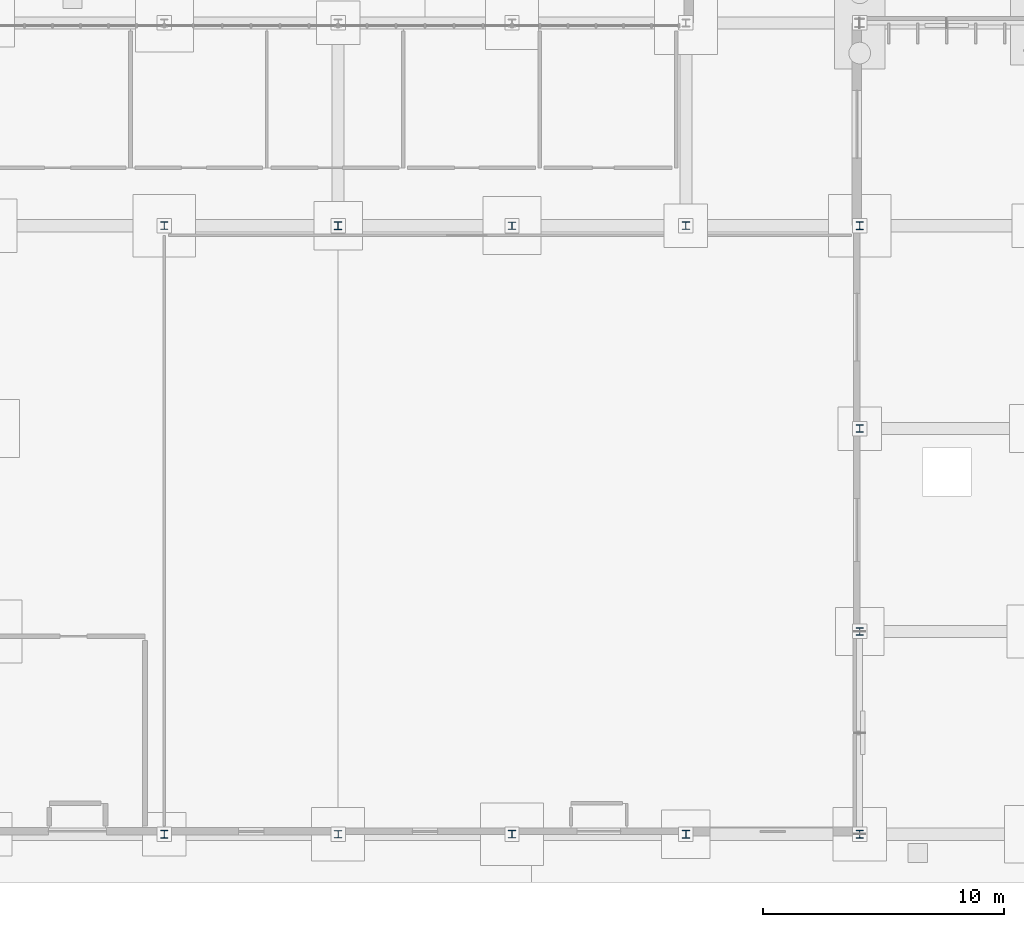
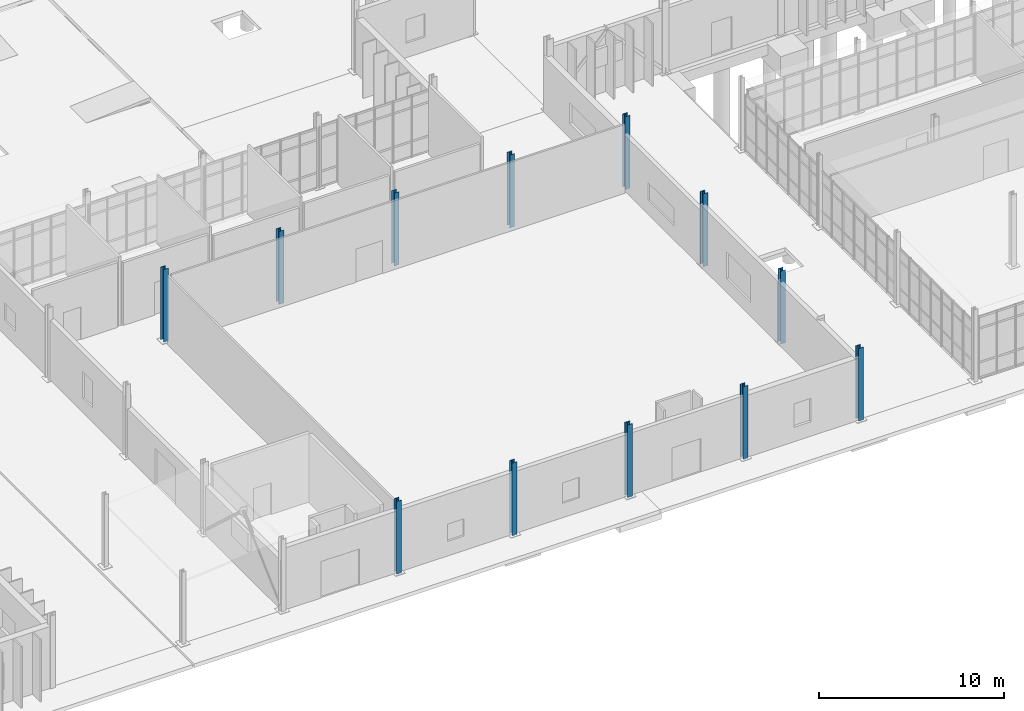
# One storey, part 13 of 118: 12 columns.
"""IFC4 building model written with IfcOpenShell, lengths in metres."""

from ifc_helpers import new_model, si_unit, direction, frame, origin, origin_2d, place, context, subcontext, project, spatial, i_section, extrude, material, material_profile, profile_set, type_object, element, save


model = new_model("IFC4")

# Units and contexts
model_context = context("Model", 3, precision=1e-05, world=origin(), true_north=direction((0.0, 1.0)))
body_context = subcontext(model_context, "Body", "Model", "MODEL_VIEW")
ifc_project = project(units=[si_unit("LENGTHUNIT", "METRE"), si_unit("AREAUNIT", "SQUARE_METRE"), si_unit("VOLUMEUNIT", "CUBIC_METRE"), si_unit("PLANEANGLEUNIT", "RADIAN"), si_unit("MASSUNIT", "GRAM", prefix="KILO")], contexts=[model_context])

# Site, building, storey
site_placement = place(None, origin())
site = spatial("IfcSite", under=ifc_project, at=site_placement, CompositionType="ELEMENT")
building_placement = place(site_placement, origin())
building = spatial("IfcBuilding", under=site, at=building_placement, Name="Qelthora Terrace Specialist Clinic", CompositionType="ELEMENT")
storey_placement = place(building_placement, origin())
storey = spatial("IfcBuildingStorey", under=building, at=storey_placement, Name="L00", CompositionType="ELEMENT", Elevation=0.0)

# Columns
ifc_material = material(Name="Steel S355", Category="steel")
ifc_material_profile_1 = material_profile(ifc_material, i_section(OverallWidth=0.305908203125, OverallDepth=0.31103515625, WebThickness=0.010986328125, FlangeThickness=0.01708984375, FilletRadius=0.014892578125, at=origin_2d()), Name="W310X107")
ifc_profile_set_1 = profile_set([ifc_material_profile_1], Name="Steel S355")
column_type_1 = type_object("IfcColumnType", Name="COL-W310X107", PredefinedType="COLUMN", material=ifc_profile_set_1)
for number, where, z_axis, x_axis, name in (
    (1, (64.800048828125, 25.199951171875, 0.0), (0.0, 0.0, 1.0), (1.0, 0.0, 0.0), "Column L00-115"),
    (2, (79.199951171875, 0.0, 0.0), (0.0, 0.0, 1.0), (1.0, 0.0, 0.0), "Column L00-130"),
    (3, (86.39990234375, 25.199951171875, 0.0), (0.0, 0.0, 1.0), (1.0, 0.0, 0.0), "Column L00-139"),
    (4, (93.60009765625, 8.39990234375, 0.0), (0.0, 0.0, 1.0), (1.0, 0.0, 0.0), "Column L00-148"),
):
    element("IfcColumn", number, at=place(storey_placement, frame(where, z_axis=z_axis, x_axis=x_axis)), inside=storey, type_object=column_type_1, Name=name, PredefinedType="COLUMN", context=body_context, shape_type="SweptSolid", body=[
        extrude(i_section(OverallWidth=0.305908203125, OverallDepth=0.31103515625, WebThickness=0.010986328125, FlangeThickness=0.01708984375, FilletRadius=0.014892578125, at=origin_2d()), origin(), (0.0, 0.0, 1.0), 4.800048828125),
    ])
ifc_material_profile_2 = material_profile(ifc_material, i_section(OverallWidth=0.306884765625, OverallDepth=0.31396484375, WebThickness=0.011962890625, FlangeThickness=0.018798828125, FilletRadius=0.01611328125, at=origin_2d()), Name="W310X118")
ifc_profile_set_2 = profile_set([ifc_material_profile_2], Name="Steel S355")
column_type_2 = type_object("IfcColumnType", Name="COL-W310X118", PredefinedType="COLUMN", material=ifc_profile_set_2)
for number, where, z_axis, x_axis, name in (
    (5, (64.800048828125, 0.0, 0.0), (0.0, 0.0, 1.0), (1.0, 0.0, 0.0), "Column L00-114"),
    (6, (72.0, 25.199951171875, 0.0), (0.0, 0.0, 1.0), (1.0, 0.0, 0.0), "Column L00-123"),
    (7, (86.39990234375, 0.0, 0.0), (0.0, 0.0, 1.0), (1.0, 0.0, 0.0), "Column L00-138"),
    (8, (93.60009765625, 0.0, 0.0), (0.0, 0.0, 1.0), (1.0, 0.0, 0.0), "Column L00-147"),
    (9, (93.60009765625, 25.199951171875, 0.0), (0.0, 0.0, 1.0), (1.0, 0.0, 0.0), "Column L00-150"),
):
    element("IfcColumn", number, at=place(storey_placement, frame(where, z_axis=z_axis, x_axis=x_axis)), inside=storey, type_object=column_type_2, Name=name, PredefinedType="COLUMN", context=body_context, shape_type="SweptSolid", body=[
        extrude(i_section(OverallWidth=0.306884765625, OverallDepth=0.31396484375, WebThickness=0.011962890625, FlangeThickness=0.018798828125, FilletRadius=0.01611328125, at=origin_2d()), origin(), (0.0, 0.0, 1.0), 4.800048828125),
    ])
ifc_material_profile_3 = material_profile(ifc_material, i_section(OverallWidth=0.304931640625, OverallDepth=0.30810546875, WebThickness=0.010009765625, FlangeThickness=0.015380859375, FilletRadius=0.014892578125, at=origin_2d()), Name="W310X97")
ifc_profile_set_3 = profile_set([ifc_material_profile_3], Name="Steel S355")
column_type_3 = type_object("IfcColumnType", Name="COL-W310X97", PredefinedType="COLUMN", material=ifc_profile_set_3)
for number, where, z_axis, x_axis, name in (
    (10, (72.0, 0.0, 0.0), (0.0, 0.0, 1.0), (1.0, 0.0, 0.0), "Column L00-122"),
    (11, (79.199951171875, 25.199951171875, 0.0), (0.0, 0.0, 1.0), (1.0, 0.0, 0.0), "Column L00-131"),
    (12, (93.60009765625, 16.800048828125, 0.0), (0.0, 0.0, 1.0), (1.0, 0.0, 0.0), "Column L00-149"),
):
    element("IfcColumn", number, at=place(storey_placement, frame(where, z_axis=z_axis, x_axis=x_axis)), inside=storey, type_object=column_type_3, Name=name, PredefinedType="COLUMN", context=body_context, shape_type="SweptSolid", body=[
        extrude(i_section(OverallWidth=0.304931640625, OverallDepth=0.30810546875, WebThickness=0.010009765625, FlangeThickness=0.015380859375, FilletRadius=0.014892578125, at=origin_2d()), origin(), (0.0, 0.0, 1.0), 4.800048828125),
    ])

save(model, "model.ifc")
